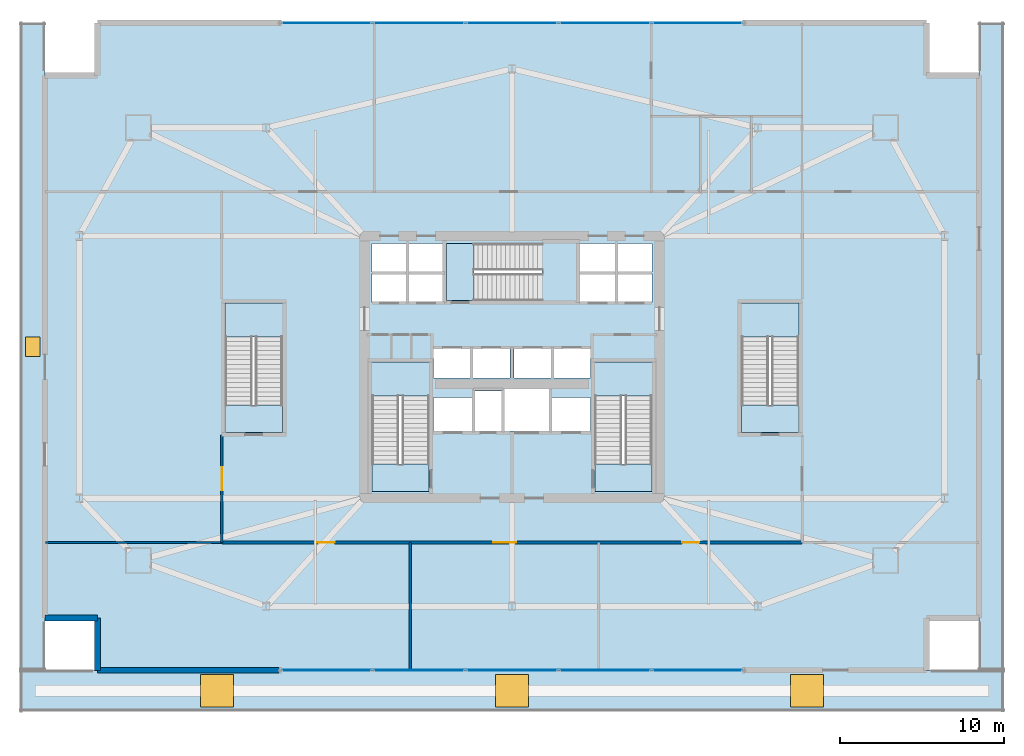
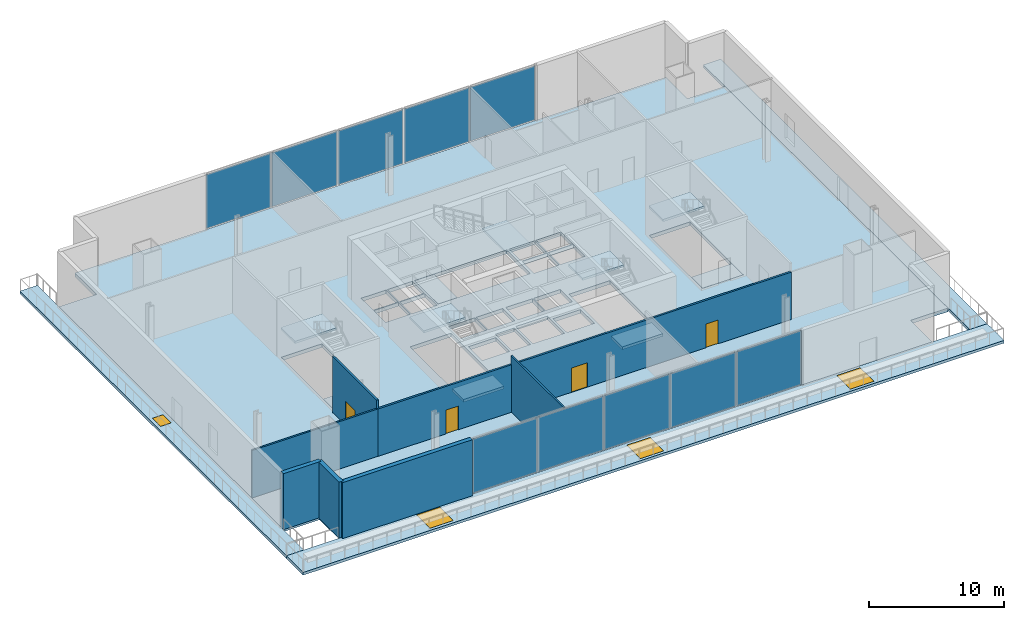
# One storey, part 10 of 20: 14 slabs, 10 plates, 7 walls, 5 doors, 3 windows, 8 openings, 7 elements without a shape of their own.
"""IFC4 building model written with IfcOpenShell, lengths in metres."""

from ifc_helpers import new_model, si_unit, direction, frame, frame_2d, origin, origin_2d, place, context, subcontext, project, spatial, polyline, rectangle, outline, extrude, source, transform, mapped, material, layer, layer_set, type_object, element, fill, aggregate, save


model = new_model("IFC4")

# Units and contexts
model_context = context("Model", 3, precision=1e-05, world=origin(), true_north=direction((0.0, 1.0)))
body_context = subcontext(model_context, "Body", "Model", "MODEL_VIEW")
ifc_project = project(units=[si_unit("LENGTHUNIT", "METRE"), si_unit("AREAUNIT", "SQUARE_METRE"), si_unit("VOLUMEUNIT", "CUBIC_METRE"), si_unit("PLANEANGLEUNIT", "RADIAN"), si_unit("MASSUNIT", "GRAM", prefix="KILO")], contexts=[model_context])

# Site, building, storey
site_placement = place(None, origin())
site = spatial("IfcSite", under=ifc_project, at=site_placement, CompositionType="ELEMENT")
building_placement = place(site_placement, origin())
building = spatial("IfcBuilding", under=site, at=building_placement, Name="Haldenkirk Collegiate Tower", CompositionType="ELEMENT")
storey_placement = place(building_placement, frame((0.0, 0.0, 11.39990234375)))
storey = spatial("IfcBuildingStorey", under=building, at=storey_placement, Name="L02", CompositionType="ELEMENT", Elevation=11.39990234375)

# Slab
ifc_material_1 = material(Name="Concrete f'c 40 MPa", Category="concrete")
ifc_layer_1 = layer(ifc_material_1, 0.330078125)
ifc_layer_set_1 = layer_set([ifc_layer_1], Name="Concrete f'c 40 MPa")
slab_type_1 = type_object("IfcSlabType", Name="SLB-FLR-330", PredefinedType="FLOOR", material=ifc_layer_set_1)
slab_1_placement = place(storey_placement, frame((0.0, 0.0, -0.329833984375)))
element("IfcSlab", 1, at=slab_1_placement, inside=storey, type_object=slab_type_1, Name="L02 composite structural floor slab", PredefinedType="FLOOR", context=body_context, shape_type="SweptSolid", body=[
    extrude(outline(polyline([(10.699951171875, 7.5), (61.300048828125, 7.5), (61.300048828125, 10.699951171875), (64.5, 10.699951171875), (64.5, 43.800048828125), (61.300048828125, 43.800048828125), (61.300048828125, 47.0), (10.699951171875, 47.0), (10.699951171875, 43.800048828125), (7.5, 43.800048828125), (7.5, 10.699951171875), (10.699951171875, 10.699951171875), (10.699951171875, 7.5)]), holes=[polyline([(27.449951171875, 18.39990234375), (30.949951171875, 18.39990234375), (30.949951171875, 26.300048828125), (27.449951171875, 26.300048828125), (27.449951171875, 18.39990234375)]), polyline([(41.050048828125, 18.39990234375), (44.550048828125, 18.39990234375), (44.550048828125, 26.300048828125), (41.050048828125, 26.300048828125), (41.050048828125, 18.39990234375)]), polyline([(32.0, 30.050048828125), (39.89990234375, 30.050048828125), (39.89990234375, 33.550048828125), (32.0, 33.550048828125), (32.0, 30.050048828125)]), polyline([(33.75, 22.10009765625), (35.35009765625, 22.10009765625), (35.35009765625, 24.550048828125), (33.75, 24.550048828125), (33.75, 22.10009765625)]), polyline([(18.5, 22.0), (22.0, 22.0), (22.0, 29.89990234375), (18.5, 29.89990234375), (18.5, 22.0)]), polyline([(50.0, 22.0), (53.5, 22.0), (53.5, 29.89990234375), (50.0, 29.89990234375), (50.0, 22.0)]), polyline([(27.449951171875, 29.949951171875), (29.580078125, 29.949951171875), (29.580078125, 31.699951171875), (27.449951171875, 31.699951171875), (27.449951171875, 29.949951171875)]), polyline([(29.679931640625, 29.949951171875), (31.85009765625, 29.949951171875), (31.85009765625, 31.699951171875), (29.679931640625, 31.699951171875), (29.679931640625, 29.949951171875)]), polyline([(27.449951171875, 31.800048828125), (29.580078125, 31.800048828125), (29.580078125, 33.550048828125), (27.449951171875, 33.550048828125), (27.449951171875, 31.800048828125)]), polyline([(29.679931640625, 31.800048828125), (31.85009765625, 31.800048828125), (31.85009765625, 33.550048828125), (29.679931640625, 33.550048828125), (29.679931640625, 31.800048828125)]), polyline([(40.14990234375, 29.949951171875), (42.320068359375, 29.949951171875), (42.320068359375, 31.699951171875), (40.14990234375, 31.699951171875), (40.14990234375, 29.949951171875)]), polyline([(42.419921875, 29.949951171875), (44.550048828125, 29.949951171875), (44.550048828125, 31.699951171875), (42.419921875, 31.699951171875), (42.419921875, 29.949951171875)]), polyline([(40.14990234375, 31.800048828125), (42.320068359375, 31.800048828125), (42.320068359375, 33.550048828125), (40.14990234375, 33.550048828125), (40.14990234375, 31.800048828125)]), polyline([(42.419921875, 31.800048828125), (44.550048828125, 31.800048828125), (44.550048828125, 33.550048828125), (42.419921875, 33.550048828125), (42.419921875, 31.800048828125)]), polyline([(31.199951171875, 25.35009765625), (33.47998046875, 25.35009765625), (33.47998046875, 27.14990234375), (31.199951171875, 27.14990234375), (31.199951171875, 25.35009765625)]), polyline([(33.60009765625, 25.35009765625), (35.8798828125, 25.35009765625), (35.8798828125, 27.14990234375), (33.60009765625, 27.14990234375), (33.60009765625, 25.35009765625)]), polyline([(36.1201171875, 25.35009765625), (38.39990234375, 25.35009765625), (38.39990234375, 27.14990234375), (36.1201171875, 27.14990234375), (36.1201171875, 25.35009765625)]), polyline([(38.52001953125, 25.35009765625), (40.800048828125, 25.35009765625), (40.800048828125, 27.14990234375), (38.52001953125, 27.14990234375), (38.52001953125, 25.35009765625)]), polyline([(31.199951171875, 22.10009765625), (33.550048828125, 22.10009765625), (33.550048828125, 24.14990234375), (31.199951171875, 24.14990234375), (31.199951171875, 22.10009765625)]), polyline([(38.449951171875, 22.10009765625), (40.800048828125, 22.10009765625), (40.800048828125, 24.14990234375), (38.449951171875, 24.14990234375), (38.449951171875, 22.10009765625)]), polyline([(35.550048828125, 22.10009765625), (38.25, 22.10009765625), (38.25, 24.64990234375), (35.550048828125, 24.64990234375), (35.550048828125, 22.10009765625)])]), origin(), (0.0, 0.0, 1.0), 0.329833984375),
])

# Stair, slab
stair_type = type_object("IfcStairType", Name="STR-DOGLEG-1650", PredefinedType="HALF_TURN_STAIR", material=ifc_material_1)
stair_1_placement = place(storey_placement, origin())
stair_1 = element("IfcStair", 2, at=stair_1_placement, inside=storey, type_object=stair_type, Name="L02 Core Exit Stair ST-1", PredefinedType="HALF_TURN_STAIR")
ifc_layer_2 = layer(ifc_material_1, 0.199951171875)
ifc_layer_set_2 = layer_set([ifc_layer_2], Name="Concrete f'c 40 MPa")
slab_type_2 = type_object("IfcSlabType", Name="SLB-LANDING-200", PredefinedType="LANDING", material=ifc_layer_set_2)
slab_2_placement = place(storey_placement, frame((0.0, 0.0, 2.5)))
slab_2 = element("IfcSlab", 3, at=slab_2_placement, type_object=slab_type_2, Name="ST-1 landing 1", PredefinedType="LANDING", context=body_context, shape_type="SweptSolid", body=[
    extrude(outline(polyline([(30.97509765625, 24.22509765625), (27.425048828125, 24.22509765625), (27.425048828125, 26.324951171875), (30.97509765625, 26.324951171875), (30.97509765625, 24.22509765625)])), origin(), (0.0, 0.0, 1.0), 0.2001953125),
])
aggregate(stair_1, [slab_2])

stair_2_placement = place(storey_placement, origin())
stair_2 = element("IfcStair", 4, at=stair_2_placement, inside=storey, type_object=stair_type, Name="L02 Core Exit Stair ST-2", PredefinedType="HALF_TURN_STAIR")
slab_3_placement = place(storey_placement, frame((0.0, 0.0, 2.5)))
slab_3 = element("IfcSlab", 5, at=slab_3_placement, type_object=slab_type_2, Name="ST-2 landing 1", PredefinedType="LANDING", context=body_context, shape_type="SweptSolid", body=[
    extrude(outline(polyline([(44.574951171875, 24.22509765625), (41.02490234375, 24.22509765625), (41.02490234375, 26.324951171875), (44.574951171875, 26.324951171875), (44.574951171875, 24.22509765625)])), origin(), (0.0, 0.0, 1.0), 0.2001953125),
])
aggregate(stair_2, [slab_3])

stair_3_placement = place(storey_placement, origin())
stair_3 = element("IfcStair", 6, at=stair_3_placement, inside=storey, type_object=stair_type, Name="L02 Core Exit Stair ST-3", PredefinedType="HALF_TURN_STAIR")
slab_4_placement = place(storey_placement, frame((0.0, 0.0, 2.5)))
slab_4 = element("IfcSlab", 7, at=slab_4_placement, type_object=slab_type_2, Name="ST-3 landing 1", PredefinedType="LANDING", context=body_context, shape_type="SweptSolid", body=[
    extrude(outline(polyline([(37.824951171875, 30.02490234375), (37.824951171875, 33.574951171875), (39.925048828125, 33.574951171875), (39.925048828125, 30.02490234375), (37.824951171875, 30.02490234375)])), origin(), (0.0, 0.0, 1.0), 0.2001953125),
])
aggregate(stair_3, [slab_4])

stair_4_placement = place(storey_placement, origin())
stair_4 = element("IfcStair", 8, at=stair_4_placement, inside=storey, type_object=stair_type, Name="L02 Podium Exit Stair ST-4", PredefinedType="HALF_TURN_STAIR")
slab_5_placement = place(storey_placement, frame((0.0, 0.0, 2.5)))
slab_5 = element("IfcSlab", 9, at=slab_5_placement, type_object=slab_type_2, Name="ST-4 landing 1", PredefinedType="LANDING", context=body_context, shape_type="SweptSolid", body=[
    extrude(outline(polyline([(22.02490234375, 27.824951171875), (18.47509765625, 27.824951171875), (18.47509765625, 29.925048828125), (22.02490234375, 29.925048828125), (22.02490234375, 27.824951171875)])), origin(), (0.0, 0.0, 1.0), 0.2001953125),
])
aggregate(stair_4, [slab_5])

stair_5_placement = place(storey_placement, origin())
stair_5 = element("IfcStair", 10, at=stair_5_placement, inside=storey, type_object=stair_type, Name="L02 Podium Exit Stair ST-5", PredefinedType="HALF_TURN_STAIR")
slab_6_placement = place(storey_placement, frame((0.0, 0.0, 2.5)))
slab_6 = element("IfcSlab", 11, at=slab_6_placement, type_object=slab_type_2, Name="ST-5 landing 1", PredefinedType="LANDING", context=body_context, shape_type="SweptSolid", body=[
    extrude(outline(polyline([(53.52490234375, 27.824951171875), (49.97509765625, 27.824951171875), (49.97509765625, 29.925048828125), (53.52490234375, 29.925048828125), (53.52490234375, 27.824951171875)])), origin(), (0.0, 0.0, 1.0), 0.2001953125),
])
aggregate(stair_5, [slab_6])

# Slabs
ifc_layer_3 = layer(ifc_material_1, 0.25)
ifc_layer_set_3 = layer_set([ifc_layer_3], Name="Concrete f'c 40 MPa")
slab_type_3 = type_object("IfcSlabType", Name="SLB-STAIRLAND-250", PredefinedType="LANDING", material=ifc_layer_set_3)
slab_7_placement = place(storey_placement, frame((0.0, 0.0, -0.25)))
element("IfcSlab", 12, at=slab_7_placement, inside=storey, type_object=slab_type_3, Name="L02 stair ST1 structural floor landing slab", PredefinedType="LANDING", context=body_context, shape_type="SweptSolid", body=[
    extrude(outline(polyline([(27.4599609375, 18.409912109375), (30.93994140625, 18.409912109375), (30.93994140625, 20.080078125), (27.4599609375, 20.080078125), (27.4599609375, 18.409912109375)])), origin(), (0.0, 0.0, 1.0), 0.25),
])
slab_8_placement = place(storey_placement, frame((0.0, 0.0, -0.25)))
element("IfcSlab", 13, at=slab_8_placement, inside=storey, type_object=slab_type_3, Name="L02 stair ST2 structural floor landing slab", PredefinedType="LANDING", context=body_context, shape_type="SweptSolid", body=[
    extrude(outline(polyline([(41.06005859375, 18.409912109375), (44.5400390625, 18.409912109375), (44.5400390625, 20.080078125), (41.06005859375, 20.080078125), (41.06005859375, 18.409912109375)])), origin(), (0.0, 0.0, 1.0), 0.25),
])
slab_9_placement = place(storey_placement, frame((0.0, 0.0, -0.25)))
element("IfcSlab", 14, at=slab_9_placement, inside=storey, type_object=slab_type_3, Name="L02 stair ST3 structural floor landing slab", PredefinedType="LANDING", context=body_context, shape_type="SweptSolid", body=[
    extrude(outline(polyline([(32.010009765625, 30.06005859375), (33.679931640625, 30.06005859375), (33.679931640625, 33.5400390625), (32.010009765625, 33.5400390625), (32.010009765625, 30.06005859375)])), origin(), (0.0, 0.0, 1.0), 0.25),
])
slab_10_placement = place(storey_placement, frame((0.0, 0.0, -0.25)))
element("IfcSlab", 15, at=slab_10_placement, inside=storey, type_object=slab_type_3, Name="L02 stair ST4 structural floor landing slab", PredefinedType="LANDING", context=body_context, shape_type="SweptSolid", body=[
    extrude(outline(polyline([(18.510009765625, 22.010009765625), (21.989990234375, 22.010009765625), (21.989990234375, 23.679931640625), (18.510009765625, 23.679931640625), (18.510009765625, 22.010009765625)])), origin(), (0.0, 0.0, 1.0), 0.25),
])
slab_11_placement = place(storey_placement, frame((0.0, 0.0, -0.25)))
element("IfcSlab", 16, at=slab_11_placement, inside=storey, type_object=slab_type_3, Name="L02 stair ST5 structural floor landing slab", PredefinedType="LANDING", context=body_context, shape_type="SweptSolid", body=[
    extrude(outline(polyline([(50.010009765625, 22.010009765625), (53.489990234375, 22.010009765625), (53.489990234375, 23.679931640625), (50.010009765625, 23.679931640625), (50.010009765625, 22.010009765625)])), origin(), (0.0, 0.0, 1.0), 0.25),
])

# Slab, openings, windows
ifc_layer_4 = layer(ifc_material_1, 0.25)
ifc_layer_set_4 = layer_set([ifc_layer_4], Name="Concrete f'c 40 MPa")
slab_type_4 = type_object("IfcSlabType", Name="SLB-TERR-POD-250", PredefinedType="FLOOR", material=ifc_layer_set_4)
slab_12_placement = place(storey_placement, frame((0.0, 0.0, -0.25)))
slab_12 = element("IfcSlab", 17, at=slab_12_placement, inside=storey, type_object=slab_type_4, Name="L02 cascading podium garden terrace 1", PredefinedType="FLOOR", context=body_context, shape_type="SweptSolid", body=[
    extrude(outline(polyline([(6.0, 5.0), (66.0, 5.0), (66.0, 7.5), (6.0, 7.5), (6.0, 5.0)])), origin(), (0.0, 0.0, 1.0), 0.25),
])
opening_1_placement = place(slab_12_placement, frame((18.0, 6.25, -0.010009765625)))
opening_1 = element("IfcOpeningElement", 18, at=opening_1_placement, cuts=slab_12, Name="Opening SK-01", PredefinedType="OPENING", context=body_context, shape_type="SweptSolid", body=[
    extrude(rectangle(XDim=2.0, YDim=2.0, at=origin_2d()), origin(), (0.0, 0.0, 1.0), 0.27001953125),
])
opening_2_placement = place(slab_12_placement, frame((36.0, 6.25, -0.010009765625)))
opening_2 = element("IfcOpeningElement", 19, at=opening_2_placement, cuts=slab_12, Name="Opening SK-01", PredefinedType="OPENING", context=body_context, shape_type="SweptSolid", body=[
    extrude(rectangle(XDim=2.0, YDim=2.0, at=origin_2d()), origin(), (0.0, 0.0, 1.0), 0.27001953125),
])
opening_3_placement = place(slab_12_placement, frame((54.0, 6.25, -0.010009765625)))
opening_3 = element("IfcOpeningElement", 20, at=opening_3_placement, cuts=slab_12, Name="Opening SK-01", PredefinedType="OPENING", context=body_context, shape_type="SweptSolid", body=[
    extrude(rectangle(XDim=2.0, YDim=2.0, at=origin_2d()), origin(), (0.0, 0.0, 1.0), 0.27001953125),
])
ifc_material_2 = material(Name="Low-E argon triple insulating glass", Category="glass")
ifc_layer_5 = layer(ifc_material_2, 0.090087890625)
ifc_layer_set_5 = layer_set([ifc_layer_5], Name="Low-E argon triple insulating glass")
window_type = type_object("IfcWindowType", Name="WN-SKY-2000X2000", PartitioningType="SINGLE_PANEL", PredefinedType="SKYLIGHT", material=ifc_layer_set_5)
window_1_placement = place(slab_12_placement, frame((18.0, 6.25, 0.199951171875)))
window_1 = element("IfcWindow", 21, at=window_1_placement, inside=storey, type_object=window_type, Name="L02 cascade terrace daylight skylight 1", OverallHeight=2.0, OverallWidth=2.0, PartitioningType="SINGLE_PANEL", PredefinedType="SKYLIGHT", context=body_context, shape_type="SweptSolid", body=[
    extrude(rectangle(XDim=2.0, YDim=2.0, at=origin_2d()), origin(), (0.0, 0.0, 1.0), 0.050048828125),
])
fill(opening_1, window_1)
window_2_placement = place(slab_12_placement, frame((36.0, 6.25, 0.199951171875)))
window_2 = element("IfcWindow", 22, at=window_2_placement, inside=storey, type_object=window_type, Name="L02 cascade terrace daylight skylight 2", OverallHeight=2.0, OverallWidth=2.0, PartitioningType="SINGLE_PANEL", PredefinedType="SKYLIGHT", context=body_context, shape_type="SweptSolid", body=[
    extrude(rectangle(XDim=2.0, YDim=2.0, at=origin_2d()), origin(), (0.0, 0.0, 1.0), 0.050048828125),
])
fill(opening_2, window_2)
window_3_placement = place(slab_12_placement, frame((54.0, 6.25, 0.199951171875)))
window_3 = element("IfcWindow", 23, at=window_3_placement, inside=storey, type_object=window_type, Name="L02 cascade terrace daylight skylight 3", OverallHeight=2.0, OverallWidth=2.0, PartitioningType="SINGLE_PANEL", PredefinedType="SKYLIGHT", context=body_context, shape_type="SweptSolid", body=[
    extrude(rectangle(XDim=2.0, YDim=2.0, at=origin_2d()), origin(), (0.0, 0.0, 1.0), 0.050048828125),
])
fill(opening_3, window_3)

# Slab, opening, door
slab_13_placement = place(storey_placement, frame((0.0, 0.0, -0.25)))
slab_13 = element("IfcSlab", 24, at=slab_13_placement, inside=storey, type_object=slab_type_4, Name="L02 cascading podium garden terrace 2", PredefinedType="FLOOR", context=body_context, shape_type="SweptSolid", body=[
    extrude(outline(polyline([(6.0, 7.5), (7.5, 7.5), (7.5, 47.0), (6.0, 47.0), (6.0, 7.5)])), origin(), (0.0, 0.0, 1.0), 0.25),
])
opening_4_placement = place(slab_13_placement, frame((6.75, 27.25, -0.010009765625)))
opening_4 = element("IfcOpeningElement", 25, at=opening_4_placement, cuts=slab_13, Name="Opening D-RH11", PredefinedType="OPENING", context=body_context, shape_type="SweptSolid", body=[
    extrude(rectangle(XDim=0.89990234375, YDim=1.199951171875, at=origin_2d()), origin(), (0.0, 0.0, 1.0), 0.27001953125),
])
ifc_material_3 = material(Name="Galvanized fire-rated hollow steel door", Category="steel")
ifc_layer_6 = layer(ifc_material_3, 0.06005859375)
ifc_layer_set_6 = layer_set([ifc_layer_6], Name="Galvanized fire-rated hollow steel door")
door_type_1 = type_object("IfcDoorType", Name="DR-HATCH-900", OperationType="NOTDEFINED", PredefinedType="TRAPDOOR", material=ifc_layer_set_6)
door_1_placement = place(slab_13_placement, frame((6.75, 27.25, 0.199951171875)))
door_1 = element("IfcDoor", 26, at=door_1_placement, inside=storey, type_object=door_type_1, Name="L02 north cascade terrace plenum access hatch D-RH11", OperationType="SINGLE_SWING_LEFT", OverallHeight=1.199951171875, OverallWidth=0.89990234375, PredefinedType="TRAPDOOR", context=body_context, shape_type="SweptSolid", body=[
    extrude(rectangle(XDim=0.89990234375, YDim=1.199951171875, at=origin_2d()), origin(), (0.0, 0.0, 1.0), 0.050048828125),
])
fill(opening_4, door_1)

# Slab
slab_14_placement = place(storey_placement, frame((0.0, 0.0, -0.25)))
element("IfcSlab", 27, at=slab_14_placement, inside=storey, type_object=slab_type_4, Name="L02 cascading podium garden terrace 3", PredefinedType="FLOOR", context=body_context, shape_type="SweptSolid", body=[
    extrude(outline(polyline([(64.5, 7.5), (66.0, 7.5), (66.0, 47.0), (64.5, 47.0), (64.5, 7.5)])), origin(), (0.0, 0.0, 1.0), 0.25),
])

# Curtain wall, plates
ifc_material_4 = material(Name="Anodised architectural bronze aluminium", Category="aluminium")
curtain_wall_type = type_object("IfcCurtainWallType", Name="CW-SYS3-PODIUM", PredefinedType="USERDEFINED", material=ifc_material_4)
curtain_wall_1_placement = place(storey_placement, origin())
curtain_wall_1 = element("IfcCurtainWall", 28, at=curtain_wall_1_placement, inside=storey, type_object=curtain_wall_type, Name="L02 Podium campus concourse and library storefront curtain wall", ObjectType="UNITISED CURTAIN WALL", PredefinedType="USERDEFINED")
ifc_layer_7 = layer(ifc_material_2, 0.050048828125)
ifc_layer_set_7 = layer_set([ifc_layer_7], Name="Low-E argon triple insulating glass")
plate_type = type_object("IfcPlateType", Name="CW-PNL-03", PredefinedType="CURTAIN_PANEL", material=ifc_layer_set_7)
shared_shape_1 = source(origin(), body_context, "Body", "SweptSolid", [
    extrude(rectangle(XDim=5.524658203125, YDim=0.050048828125, at=origin_2d()), origin(), (0.0, 0.0, 1.0), 4.8798828125),
])
plate_1_placement = place(storey_placement, frame((47.310546875, 7.5, 0.09521484375), z_axis=(0.0, 0.0, 1.0), x_axis=(-1.0, 0.0, 0.0)))
plate_1 = element("IfcPlate", 29, at=plate_1_placement, type_object=plate_type, Name="CW-03 panel 1.1", PredefinedType="CURTAIN_PANEL", context=body_context, shape_type="MappedRepresentation", body=[
    mapped(shared_shape_1, transform((0.0, 0.0, 0.0), x_axis=(1.0, 0.0, 0.0), y_axis=(0.0, 1.0, 0.0), z_axis=(0.0, 0.0, 1.0), scale=1.0)),
])
plate_2_placement = place(storey_placement, frame((24.689453125, 7.5, 0.09521484375), z_axis=(0.0, 0.0, 1.0), x_axis=(-1.0, 0.0, 0.0)))
plate_2 = element("IfcPlate", 30, at=plate_2_placement, type_object=plate_type, Name="CW-03 panel 5.1", PredefinedType="CURTAIN_PANEL", context=body_context, shape_type="MappedRepresentation", body=[
    mapped(shared_shape_1, transform((0.0, 0.0, 0.0), x_axis=(1.0, 0.0, 0.0), y_axis=(0.0, 1.0, 0.0), z_axis=(0.0, 0.0, 1.0), scale=1.0)),
])

curtain_wall_2_placement = place(storey_placement, origin())
curtain_wall_2 = element("IfcCurtainWall", 31, at=curtain_wall_2_placement, inside=storey, type_object=curtain_wall_type, Name="L02 Podium campus concourse and library storefront curtain wall", ObjectType="UNITISED CURTAIN WALL", PredefinedType="USERDEFINED")
plate_3_placement = place(storey_placement, frame((24.689453125, 47.0, 0.09521484375), z_axis=(0.0, 0.0, 1.0), x_axis=(1.0, 0.0, 0.0)))
plate_3 = element("IfcPlate", 32, at=plate_3_placement, type_object=plate_type, Name="CW-03 panel 1.1", PredefinedType="CURTAIN_PANEL", context=body_context, shape_type="MappedRepresentation", body=[
    mapped(shared_shape_1, transform((0.0, 0.0, 0.0), x_axis=(1.0, 0.0, 0.0), y_axis=(0.0, 1.0, 0.0), z_axis=(0.0, 0.0, 1.0), scale=1.0)),
])
plate_4_placement = place(storey_placement, frame((47.310546875, 47.0, 0.09521484375), z_axis=(0.0, 0.0, 1.0), x_axis=(1.0, 0.0, 0.0)))
plate_4 = element("IfcPlate", 33, at=plate_4_placement, type_object=plate_type, Name="CW-03 panel 5.1", PredefinedType="CURTAIN_PANEL", context=body_context, shape_type="MappedRepresentation", body=[
    mapped(shared_shape_1, transform((0.0, 0.0, 0.0), x_axis=(1.0, 0.0, 0.0), y_axis=(0.0, 1.0, 0.0), z_axis=(0.0, 0.0, 1.0), scale=1.0)),
])

# Plate
shared_shape_2 = source(origin(), body_context, "Body", "SweptSolid", [
    extrude(rectangle(XDim=5.572265625, YDim=0.050048828125, at=origin_2d()), origin(), (0.0, 0.0, 1.0), 4.8798828125),
])
plate_5_placement = place(storey_placement, frame((41.667236328125, 7.5, 0.09521484375), z_axis=(0.0, 0.0, 1.0), x_axis=(-1.0, 0.0, 0.0)))
plate_5 = element("IfcPlate", 34, at=plate_5_placement, type_object=plate_type, Name="CW-03 panel 2.1", PredefinedType="CURTAIN_PANEL", context=body_context, shape_type="MappedRepresentation", body=[
    mapped(shared_shape_2, transform((0.0, 0.0, 0.0), x_axis=(1.0, 0.0, 0.0), y_axis=(0.0, 1.0, 0.0), z_axis=(0.0, 0.0, 1.0), scale=1.0)),
])

plate_6_placement = place(storey_placement, frame((36.0, 7.5, 0.09521484375), z_axis=(0.0, 0.0, 1.0), x_axis=(-1.0, 0.0, 0.0)))
plate_6 = element("IfcPlate", 35, at=plate_6_placement, type_object=plate_type, Name="CW-03 panel 3.1", PredefinedType="CURTAIN_PANEL", context=body_context, shape_type="MappedRepresentation", body=[
    mapped(shared_shape_2, transform((0.0, 0.0, 0.0), x_axis=(1.0, 0.0, 0.0), y_axis=(0.0, 1.0, 0.0), z_axis=(0.0, 0.0, 1.0), scale=1.0)),
])

plate_7_placement = place(storey_placement, frame((30.332763671875, 7.5, 0.09521484375), z_axis=(0.0, 0.0, 1.0), x_axis=(-1.0, 0.0, 0.0)))
plate_7 = element("IfcPlate", 36, at=plate_7_placement, type_object=plate_type, Name="CW-03 panel 4.1", PredefinedType="CURTAIN_PANEL", context=body_context, shape_type="MappedRepresentation", body=[
    mapped(shared_shape_2, transform((0.0, 0.0, 0.0), x_axis=(1.0, 0.0, 0.0), y_axis=(0.0, 1.0, 0.0), z_axis=(0.0, 0.0, 1.0), scale=1.0)),
])

aggregate(curtain_wall_1, [plate_1, plate_5, plate_6, plate_7, plate_2])

plate_8_placement = place(storey_placement, frame((30.332763671875, 47.0, 0.09521484375), z_axis=(0.0, 0.0, 1.0), x_axis=(1.0, 0.0, 0.0)))
plate_8 = element("IfcPlate", 37, at=plate_8_placement, type_object=plate_type, Name="CW-03 panel 2.1", PredefinedType="CURTAIN_PANEL", context=body_context, shape_type="MappedRepresentation", body=[
    mapped(shared_shape_2, transform((0.0, 0.0, 0.0), x_axis=(1.0, 0.0, 0.0), y_axis=(0.0, 1.0, 0.0), z_axis=(0.0, 0.0, 1.0), scale=1.0)),
])

plate_9_placement = place(storey_placement, frame((36.0, 47.0, 0.09521484375), z_axis=(0.0, 0.0, 1.0), x_axis=(1.0, 0.0, 0.0)))
plate_9 = element("IfcPlate", 38, at=plate_9_placement, type_object=plate_type, Name="CW-03 panel 3.1", PredefinedType="CURTAIN_PANEL", context=body_context, shape_type="MappedRepresentation", body=[
    mapped(shared_shape_2, transform((0.0, 0.0, 0.0), x_axis=(1.0, 0.0, 0.0), y_axis=(0.0, 1.0, 0.0), z_axis=(0.0, 0.0, 1.0), scale=1.0)),
])

plate_10_placement = place(storey_placement, frame((41.667236328125, 47.0, 0.09521484375), z_axis=(0.0, 0.0, 1.0), x_axis=(1.0, 0.0, 0.0)))
plate_10 = element("IfcPlate", 39, at=plate_10_placement, type_object=plate_type, Name="CW-03 panel 4.1", PredefinedType="CURTAIN_PANEL", context=body_context, shape_type="MappedRepresentation", body=[
    mapped(shared_shape_2, transform((0.0, 0.0, 0.0), x_axis=(1.0, 0.0, 0.0), y_axis=(0.0, 1.0, 0.0), z_axis=(0.0, 0.0, 1.0), scale=1.0)),
])

aggregate(curtain_wall_2, [plate_3, plate_8, plate_9, plate_10, plate_4])

# Walls
ifc_material_5 = material(Name="Precast concrete f'c 40 MPa", Category="concrete")
ifc_layer_8 = layer(ifc_material_5, 0.360107421875)
ifc_layer_set_8 = layer_set([ifc_layer_8], Name="Precast concrete f'c 40 MPa")
wall_type_1 = type_object("IfcWallType", Name="WL-EXT-POD-360", PredefinedType="STANDARD", material=ifc_layer_set_8)
wall_1_placement = place(storey_placement, frame((21.83203125, 7.5, 0.0), z_axis=(0.0, 0.0, 1.0), x_axis=(-1.0, 0.0, 0.0)))
element("IfcWall", 40, at=wall_1_placement, inside=storey, type_object=wall_type_1, Name="L02 podium precast frame pier 1R", PredefinedType="STANDARD", context=body_context, shape_type="SweptSolid", body=[
    extrude(rectangle(XDim=11.132080078125, YDim=0.360107421875, at=frame_2d((5.56591796875, 0.0))), origin(), (0.0, 0.0, 1.0), 5.070068359375),
])
for number, where, z_axis, x_axis, name in (
    (41, (10.699951171875, 10.699951171875, 0.0), (0.0, 0.0, 1.0), (-1.0, 0.0, 0.0), "L02 podium bronze precast wall 11"),
    (42, (10.699951171875, 7.5, 0.0), (0.0, 0.0, 1.0), (0.0, 1.0, 0.0), "L02 podium bronze precast wall 12"),
):
    element("IfcWall", number, at=place(storey_placement, frame(where, z_axis=z_axis, x_axis=x_axis)), inside=storey, type_object=wall_type_1, Name=name, PredefinedType="STANDARD", context=body_context, shape_type="SweptSolid", body=[
        extrude(rectangle(XDim=3.199951171875, YDim=0.360107421875, at=frame_2d((1.60009765625, 0.0))), origin(), (0.0, 0.0, 1.0), 5.070068359375),
    ])

# Wall, openings, doors
ifc_material_6 = material(Name="Acoustic fire-rated gypsum partition", Category="concrete")
ifc_layer_9 = layer(ifc_material_6, 0.159912109375)
ifc_layer_set_9 = layer_set([ifc_layer_9], Name="Acoustic fire-rated gypsum partition")
wall_type_2 = type_object("IfcWallType", Name="WL-INT-CORR-160", PredefinedType="PARTITIONING", material=ifc_layer_set_9)
wall_2_placement = place(storey_placement, frame((18.300048828125, 15.300048828125, 0.0), z_axis=(0.0, 0.0, 1.0), x_axis=(1.0, 0.0, 0.0)))
wall_2 = element("IfcWall", 43, at=wall_2_placement, inside=storey, type_object=wall_type_2, Name="L02 interior partition IW-L02-CS", PredefinedType="PARTITIONING", context=body_context, shape_type="SweptSolid", body=[
    extrude(rectangle(XDim=35.39990234375, YDim=0.159912109375, at=frame_2d((17.699951171875, 0.0))), origin(), (0.0, 0.0, 1.0), 4.2919921875),
])
opening_5_placement = place(wall_2_placement, frame((5.824951171875, 0.0, 0.0)))
opening_5 = element("IfcOpeningElement", 44, at=opening_5_placement, cuts=wall_2, Name="Opening D-09", PredefinedType="OPENING", context=body_context, shape_type="SweptSolid", body=[
    extrude(rectangle(XDim=1.050048828125, YDim=2.14990234375, at=frame_2d((0.52490234375, 1.074951171875))), frame((0.0, 0.08984375, 0.0), z_axis=(0.0, -1.0, 0.0), x_axis=(1.0, 0.0, 0.0)), (0.0, 0.0, 1.0), 0.179931640625),
])
opening_6_placement = place(wall_2_placement, frame((16.550048828125, 0.0, 0.0)))
opening_6 = element("IfcOpeningElement", 45, at=opening_6_placement, cuts=wall_2, Name="Opening D-07", PredefinedType="OPENING", context=body_context, shape_type="SweptSolid", body=[
    extrude(rectangle(XDim=1.39990234375, YDim=2.199951171875, at=frame_2d((0.699951171875, 1.10009765625))), frame((0.0, 0.08984375, 0.0), z_axis=(0.0, -1.0, 0.0), x_axis=(1.0, 0.0, 0.0)), (0.0, 0.0, 1.0), 0.179931640625),
])
opening_7_placement = place(wall_2_placement, frame((28.074951171875, 0.0, 0.0)))
opening_7 = element("IfcOpeningElement", 46, at=opening_7_placement, cuts=wall_2, Name="Opening D-09", PredefinedType="OPENING", context=body_context, shape_type="SweptSolid", body=[
    extrude(rectangle(XDim=1.050048828125, YDim=2.14990234375, at=frame_2d((0.52490234375, 1.074951171875))), frame((0.0, 0.08984375, 0.0), z_axis=(0.0, -1.0, 0.0), x_axis=(1.0, 0.0, 0.0)), (0.0, 0.0, 1.0), 0.179931640625),
])
ifc_material_7 = material(Name="Solid-core architectural oak fire door", Category="wood")
ifc_layer_10 = layer(ifc_material_7, 0.06005859375)
ifc_layer_set_10 = layer_set([ifc_layer_10], Name="Solid-core architectural oak fire door")
door_type_2 = type_object("IfcDoorType", Name="DR-INT-FD60-1050", OperationType="NOTDEFINED", PredefinedType="DOOR", material=ifc_layer_set_10)
door_2_placement = place(opening_5_placement, origin())
door_2 = element("IfcDoor", 47, at=door_2_placement, inside=storey, type_object=door_type_2, Name="L02 south-west door", OperationType="SINGLE_SWING_RIGHT", OverallHeight=2.14990234375, OverallWidth=1.050048828125, PredefinedType="DOOR", context=body_context, shape_type="SweptSolid", body=[
    extrude(rectangle(XDim=1.050048828125, YDim=2.14990234375, at=frame_2d((0.52490234375, 1.074951171875))), frame((0.0, 0.02490234375, 0.0), z_axis=(0.0, -1.0, 0.0), x_axis=(1.0, 0.0, 0.0)), (0.0, 0.0, 1.0), 0.050048828125),
])
fill(opening_5, door_2)
door_3_placement = place(opening_7_placement, origin())
door_3 = element("IfcDoor", 48, at=door_3_placement, inside=storey, type_object=door_type_2, Name="L02 south-east door", OperationType="SINGLE_SWING_LEFT", OverallHeight=2.14990234375, OverallWidth=1.050048828125, PredefinedType="DOOR", context=body_context, shape_type="SweptSolid", body=[
    extrude(rectangle(XDim=1.050048828125, YDim=2.14990234375, at=frame_2d((0.52490234375, 1.074951171875))), frame((0.0, 0.02490234375, 0.0), z_axis=(0.0, -1.0, 0.0), x_axis=(1.0, 0.0, 0.0)), (0.0, 0.0, 1.0), 0.050048828125),
])
fill(opening_7, door_3)
ifc_layer_11 = layer(ifc_material_3, 0.06005859375)
ifc_layer_set_11 = layer_set([ifc_layer_11], Name="Galvanized fire-rated hollow steel door")
door_type_3 = type_object("IfcDoorType", Name="DR-LOBBY-FD60-1400", OperationType="NOTDEFINED", PredefinedType="DOOR", material=ifc_layer_set_11)
door_4_placement = place(opening_6_placement, origin())
door_4 = element("IfcDoor", 49, at=door_4_placement, inside=storey, type_object=door_type_3, Name="L02 south gallery door", OperationType="DOUBLE_DOOR_SINGLE_SWING", OverallHeight=2.199951171875, OverallWidth=1.39990234375, PredefinedType="DOOR", context=body_context, shape_type="SweptSolid", body=[
    extrude(rectangle(XDim=1.39990234375, YDim=2.199951171875, at=frame_2d((0.699951171875, 1.10009765625))), frame((0.0, 0.02490234375, 0.0), z_axis=(0.0, -1.0, 0.0), x_axis=(1.0, 0.0, 0.0)), (0.0, 0.0, 1.0), 0.050048828125),
])
fill(opening_6, door_4)

# Wall, opening, door
wall_3_placement = place(storey_placement, frame((18.300048828125, 15.300048828125, 0.0), z_axis=(0.0, 0.0, 1.0), x_axis=(0.0, 1.0, 0.0)))
wall_3 = element("IfcWall", 50, at=wall_3_placement, inside=storey, type_object=wall_type_2, Name="L02 interior partition IW-L02-CW1", PredefinedType="PARTITIONING", context=body_context, shape_type="SweptSolid", body=[
    extrude(rectangle(XDim=6.550048828125, YDim=0.159912109375, at=frame_2d((3.27490234375, 0.0))), origin(), (0.0, 0.0, 1.0), 5.070068359375),
])
opening_8_placement = place(wall_3_placement, frame((3.199951171875, 0.0, 0.0)))
opening_8 = element("IfcOpeningElement", 51, at=opening_8_placement, cuts=wall_3, Name="Opening D-07", PredefinedType="OPENING", context=body_context, shape_type="SweptSolid", body=[
    extrude(rectangle(XDim=1.39990234375, YDim=2.199951171875, at=frame_2d((0.699951171875, 1.10009765625))), frame((0.0, 0.08984375, 0.0), z_axis=(0.0, -1.0, 0.0), x_axis=(1.0, 0.0, 0.0)), (0.0, 0.0, 1.0), 0.179931640625),
])
door_5_placement = place(opening_8_placement, origin())
door_5 = element("IfcDoor", 52, at=door_5_placement, inside=storey, type_object=door_type_3, Name="L02 west wing door", OperationType="DOUBLE_DOOR_SINGLE_SWING", OverallHeight=2.199951171875, OverallWidth=1.39990234375, PredefinedType="DOOR", context=body_context, shape_type="SweptSolid", body=[
    extrude(rectangle(XDim=1.39990234375, YDim=2.199951171875, at=frame_2d((0.699951171875, 1.10009765625))), frame((0.0, 0.02490234375, 0.0), z_axis=(0.0, -1.0, 0.0), x_axis=(1.0, 0.0, 0.0)), (0.0, 0.0, 1.0), 0.050048828125),
])
fill(opening_8, door_5)

# Walls
ifc_layer_12 = layer(ifc_material_6, 0.139892578125)
ifc_layer_set_12 = layer_set([ifc_layer_12], Name="Acoustic fire-rated gypsum partition")
wall_type_3 = type_object("IfcWallType", Name="WL-INT-DIV-140", PredefinedType="PARTITIONING", material=ifc_layer_set_12)
wall_4_placement = place(storey_placement, frame((7.5400390625, 15.300048828125, 0.0), z_axis=(0.0, 0.0, 1.0), x_axis=(1.0, 0.0, 0.0)))
element("IfcWall", 53, at=wall_4_placement, inside=storey, type_object=wall_type_3, Name="L02 interior partition IW-L02-WCS1", PredefinedType="PARTITIONING", context=body_context, shape_type="SweptSolid", body=[
    extrude(rectangle(XDim=10.760009765625, YDim=0.139892578125, at=frame_2d((5.3798828125, 0.0))), origin(), (0.0, 0.0, 1.0), 4.2919921875),
])
wall_5_placement = place(storey_placement, frame((29.800048828125, 7.5400390625, 0.0), z_axis=(0.0, 0.0, 1.0), x_axis=(0.0, 1.0, 0.0)))
element("IfcWall", 54, at=wall_5_placement, inside=storey, type_object=wall_type_3, Name="L02 interior partition IW-L02-SD1", PredefinedType="PARTITIONING", context=body_context, shape_type="SweptSolid", body=[
    extrude(rectangle(XDim=7.760009765625, YDim=0.139892578125, at=frame_2d((3.8798828125, 0.0))), origin(), (0.0, 0.0, 1.0), 5.070068359375),
])

save(model, "model.ifc")
